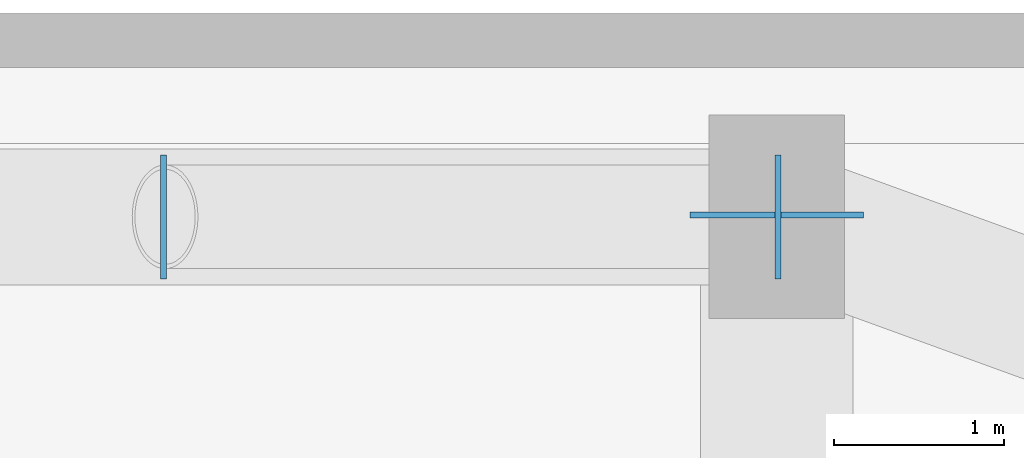
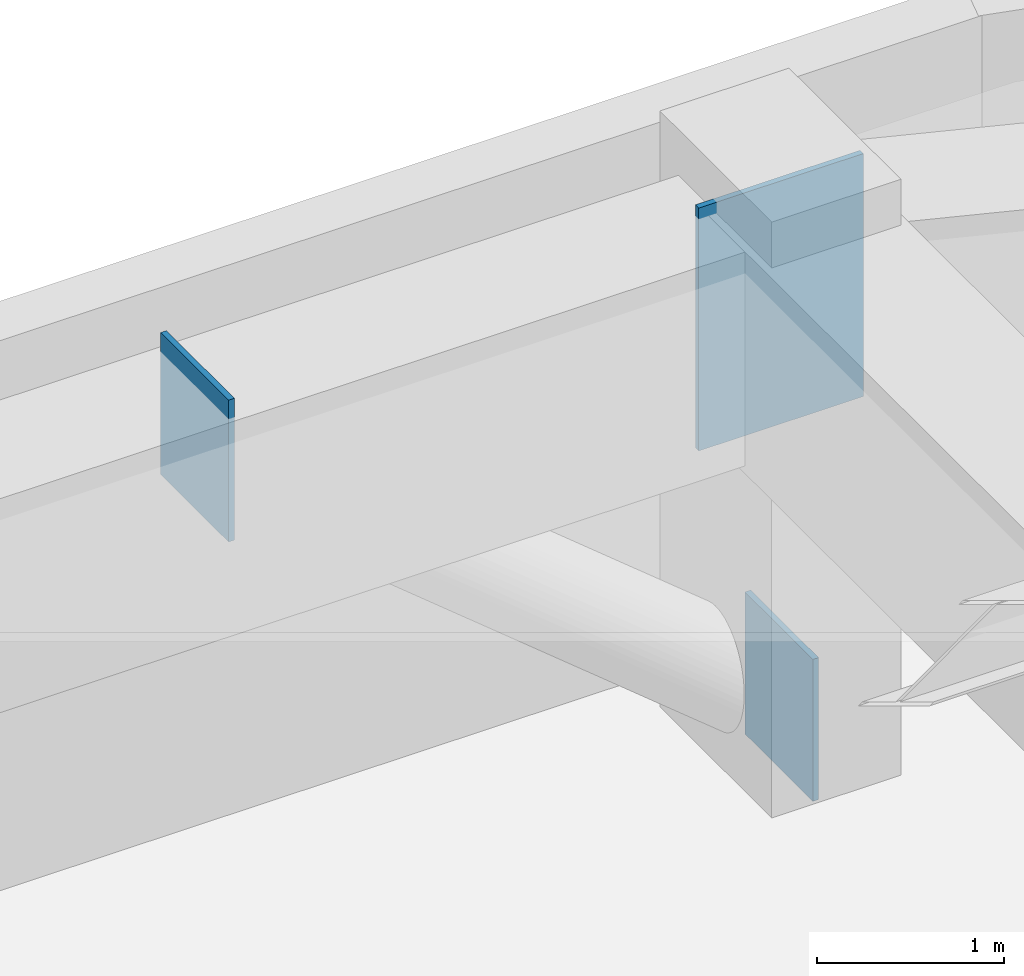
# One storey, part 18 of 25: 3 plates.
"""IFC4 building model written with IfcOpenShell, lengths in metres."""

from ifc_helpers import new_model, si_unit, direction, frame, origin, origin_2d, place, context, subcontext, project, spatial, rectangle, extrude, material, layer, layer_set, type_object, element, save


model = new_model("IFC4")

# Units and contexts
model_context = context("Model", 3, precision=1e-05, world=origin(), true_north=direction((0.0, 1.0)))
body_context = subcontext(model_context, "Body", "Model", "MODEL_VIEW")
ifc_project = project(units=[si_unit("LENGTHUNIT", "METRE"), si_unit("AREAUNIT", "SQUARE_METRE"), si_unit("VOLUMEUNIT", "CUBIC_METRE"), si_unit("PLANEANGLEUNIT", "RADIAN"), si_unit("MASSUNIT", "GRAM", prefix="KILO")], contexts=[model_context])

# Site, building, storey
site_placement = place(None, origin())
site = spatial("IfcSite", under=ifc_project, at=site_placement, CompositionType="ELEMENT")
building_placement = place(site_placement, origin())
building = spatial("IfcBuilding", under=site, at=building_placement, Name="Kiyonajd Concourse Tower", CompositionType="ELEMENT")
storey_placement = place(building_placement, frame((0.0, 0.0, 141.60009765625)))
storey = spatial("IfcBuildingStorey", under=building, at=storey_placement, Name="L36", CompositionType="ELEMENT", Elevation=141.60009765625)

# Plates
ifc_material = material(Name="Steel ASTM A572 Grade 50", Category="steel")
ifc_layer_1 = layer(ifc_material, 0.028076171875)
ifc_layer_set_1 = layer_set([ifc_layer_1], Name="Steel ASTM A572 Grade 50")
plate_type_1 = type_object("IfcPlateType", Name="PL-CAP-450", PredefinedType="USERDEFINED", material=ifc_layer_set_1)
for number, where, z_axis, x_axis, name in (
    (1, (63.6083984375, 61.199951171875, -0.17138671875), (0.0, 0.0, 1.0), (1.0, 0.0, 0.0), "L36 Hollow Brace End Cap Plate PBN"),
    (2, (59.991455078125, 61.199951171875, 2.79248046875), (0.0, 0.0, 1.0), (-1.0, 0.0, 0.0), "L36 Hollow Brace Top Cap Plate PBN"),
):
    element("IfcPlate", number, at=place(storey_placement, frame(where, z_axis=z_axis, x_axis=x_axis)), inside=storey, type_object=plate_type_1, Name=name, ObjectType="CAP PLATE", PredefinedType="USERDEFINED", context=body_context, shape_type="SweptSolid", body=[
        extrude(rectangle(XDim=0.035888671875, YDim=0.72998046875, at=origin_2d()), origin(), (0.0, 0.0, 1.0), 0.928955078125),
    ])
ifc_layer_2 = layer(ifc_material, 0.031982421875)
ifc_layer_set_2 = layer_set([ifc_layer_2], Name="Steel ASTM A572 Grade 50")
plate_type_2 = type_object("IfcPlateType", Name="PL-CAP-540", PredefinedType="USERDEFINED", material=ifc_layer_set_2)
plate_placement = place(storey_placement, frame((63.60009765625, 61.2109375, 2.080078125), z_axis=(0.0, 0.0, 1.0), x_axis=(0.0, 1.0, 0.0)))
element("IfcPlate", 3, at=plate_placement, inside=storey, type_object=plate_type_2, Name="L36 Welded Box Girder End Cap", ObjectType="CAP PLATE", PredefinedType="USERDEFINED", context=body_context, shape_type="SweptSolid", body=[
    extrude(rectangle(XDim=0.035888671875, YDim=1.02001953125, at=origin_2d()), origin(), (0.0, 0.0, 1.0), 1.590087890625),
])

save(model, "model.ifc")
